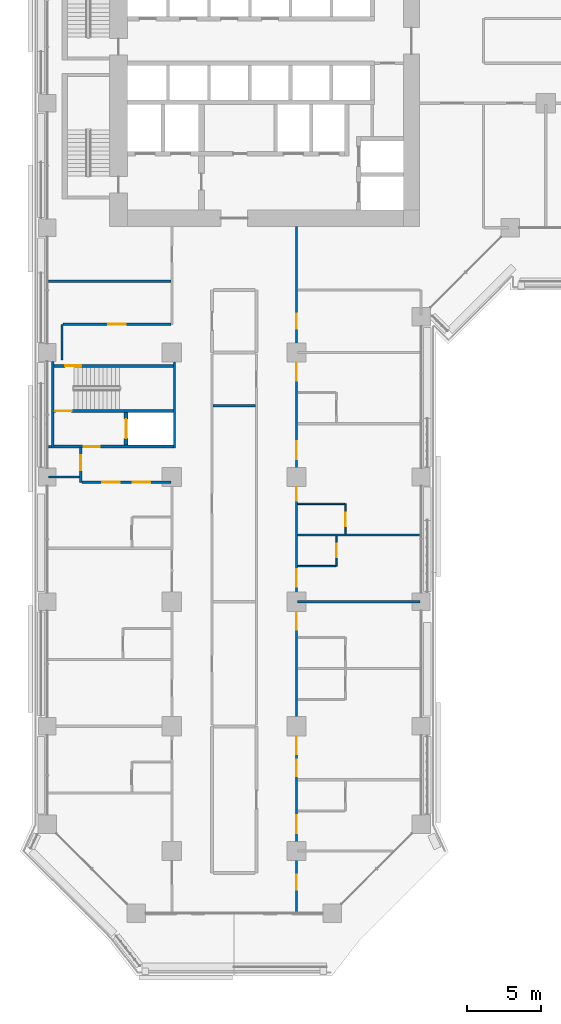
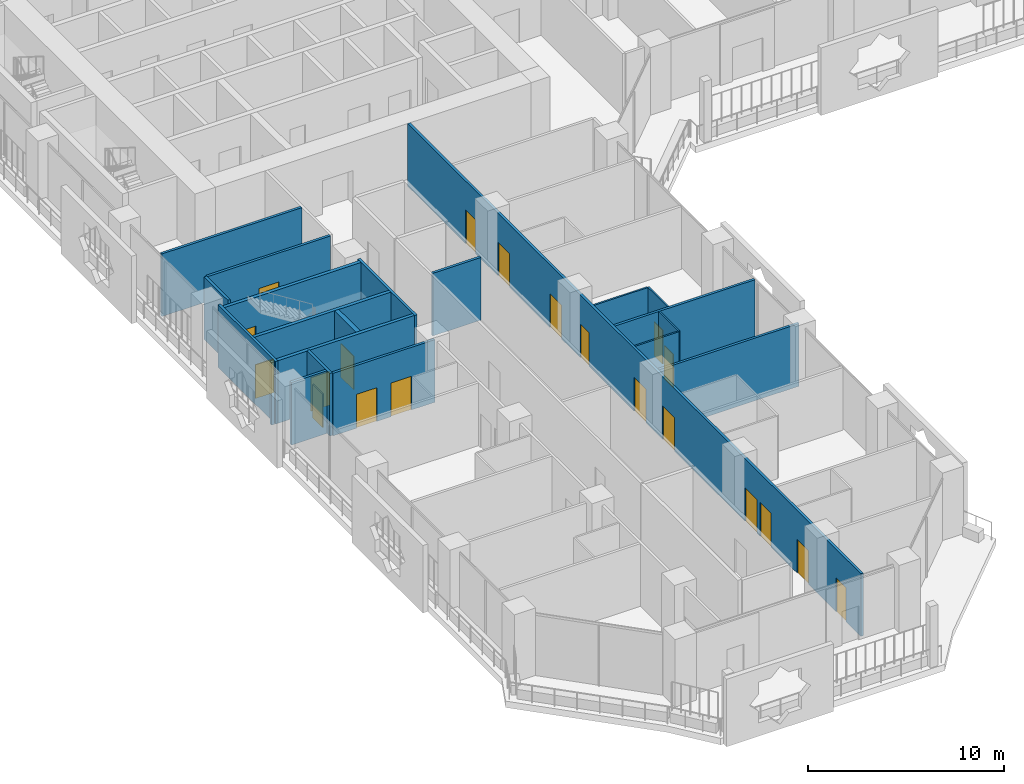
# One storey, part 14 of 28: 21 walls, 20 doors, 20 openings.
"""IFC4 building model written with IfcOpenShell, lengths in metres."""

from ifc_helpers import new_model, si_unit, direction, frame, frame_2d, origin, place, context, subcontext, project, spatial, rectangle, extrude, material, layer, layer_set, type_object, element, fill, save


model = new_model("IFC4")

# Units and contexts
model_context = context("Model", 3, precision=1e-05, world=origin(), true_north=direction((0.0, 1.0)))
body_context = subcontext(model_context, "Body", "Model", "MODEL_VIEW")
ifc_project = project(units=[si_unit("LENGTHUNIT", "METRE"), si_unit("AREAUNIT", "SQUARE_METRE"), si_unit("VOLUMEUNIT", "CUBIC_METRE"), si_unit("PLANEANGLEUNIT", "RADIAN"), si_unit("MASSUNIT", "GRAM", prefix="KILO")], contexts=[model_context])

# Site, building, storey
site_placement = place(None, origin())
site = spatial("IfcSite", under=ifc_project, at=site_placement, CompositionType="ELEMENT")
building_placement = place(site_placement, origin())
building = spatial("IfcBuilding", under=site, at=building_placement, Name="Kawkab Arch Medical Tower", CompositionType="ELEMENT")
storey_placement = place(building_placement, frame((0.0, 0.0, 81.199951171875)))
storey = spatial("IfcBuildingStorey", under=building, at=storey_placement, Name="L18", CompositionType="ELEMENT", Elevation=81.199951171875)

# Wall, opening, door
ifc_material_1 = material(Name="Concrete C60/75", Category="concrete")
ifc_layer_1 = layer(ifc_material_1, 0.25)
ifc_layer_set_1 = layer_set([ifc_layer_1], Name="Concrete C60/75")
wall_type_1 = type_object("IfcWallType", Name="Core shear wall 250 C60/75", PredefinedType="SHEAR", material=ifc_layer_set_1)
wall_1_placement = place(storey_placement, frame((5.300048828125, -39.85009765625, 0.0), z_axis=(0.0, 0.0, 1.0), x_axis=(0.0, 1.0, 0.0)))
wall_1 = element("IfcWall", 1, at=wall_1_placement, inside=storey, type_object=wall_type_1, Name="L18 core shear wall", PredefinedType="SHEAR", context=body_context, shape_type="SweptSolid", body=[
    extrude(rectangle(XDim=2.2001953125, YDim=0.25, at=frame_2d((1.10009765625, 0.0))), origin(), (0.0, 0.0, 1.0), 3.900146484375),
])
opening_1_placement = place(wall_1_placement, frame((0.449951171875, 0.0, 0.0)))
opening_1 = element("IfcOpeningElement", 2, at=opening_1_placement, cuts=wall_1, Name="Opening LD2", PredefinedType="OPENING", context=body_context, shape_type="SweptSolid", body=[
    extrude(rectangle(XDim=1.300048828125, YDim=2.10009765625, at=frame_2d((0.64990234375, 1.050048828125))), frame((0.0, 0.135009765625, 0.0), z_axis=(0.0, -1.0, 0.0), x_axis=(1.0, 0.0, 0.0)), (0.0, 0.0, 1.0), 0.27001953125),
])
ifc_material_2 = material(Name="Stainless steel lift door leaf", Category="steel")
door_type_1 = type_object("IfcDoorType", Name="Lift landing door 1300", OperationType="DOUBLE_DOOR_SLIDING", PredefinedType="DOOR", material=ifc_material_2)
door_1_placement = place(opening_1_placement, origin())
door_1 = element("IfcDoor", 3, at=door_1_placement, inside=storey, type_object=door_type_1, Name="L18 Lift landing door SV2", OperationType="DOUBLE_DOOR_SLIDING", OverallHeight=2.10009765625, OverallWidth=1.300048828125, PredefinedType="DOOR", context=body_context, shape_type="SweptSolid", body=[
    extrude(rectangle(XDim=1.300048828125, YDim=2.10009765625, at=frame_2d((0.64990234375, 1.050048828125))), frame((0.0, 0.02490234375, 0.0), z_axis=(0.0, -1.0, 0.0), x_axis=(1.0, 0.0, 0.0)), (0.0, 0.0, 1.0), 0.050048828125),
])
fill(opening_1, door_1)

# Walls
ifc_material_3 = material(Name="Gypsum board partition on steel studs", Category="steel")
ifc_layer_2 = layer(ifc_material_3, 0.10009765625)
ifc_layer_set_2 = layer_set([ifc_layer_2], Name="Gypsum board partition on steel studs")
wall_type_2 = type_object("IfcWallType", Name="Partition 100", PredefinedType="PARTITIONING", material=ifc_layer_set_2)
wall_2_placement = place(storey_placement, frame((16.875, -48.0, 0.0), z_axis=(0.0, 0.0, 1.0), x_axis=(1.0, 0.0, 0.0)))
element("IfcWall", 4, at=wall_2_placement, inside=storey, type_object=wall_type_2, Name="Partition 100 w006", PredefinedType="PARTITIONING", context=body_context, shape_type="SweptSolid", body=[
    extrude(rectangle(XDim=2.574951171875, YDim=0.10009765625, at=frame_2d((1.28759765625, 0.0))), origin(), (0.0, 0.0, 1.0), 3.900146484375),
])
wall_3_placement = place(storey_placement, frame((16.875, -43.800048828125, 0.0), z_axis=(0.0, 0.0, 1.0), x_axis=(1.0, 0.0, 0.0)))
element("IfcWall", 5, at=wall_3_placement, inside=storey, type_object=wall_type_2, Name="Partition 100 w008", PredefinedType="PARTITIONING", context=body_context, shape_type="SweptSolid", body=[
    extrude(rectangle(XDim=3.174072265625, YDim=0.10009765625, at=frame_2d((1.5869140625, 0.0))), origin(), (0.0, 0.0, 1.0), 3.900146484375),
])

# Wall, opening, door
wall_4_placement = place(storey_placement, frame((19.5, -48.0, 0.0), z_axis=(0.0, 0.0, 1.0), x_axis=(0.0, 1.0, 0.0)))
wall_4 = element("IfcWall", 6, at=wall_4_placement, inside=storey, type_object=wall_type_2, Name="Partition 100 w023", PredefinedType="PARTITIONING", context=body_context, shape_type="SweptSolid", body=[
    extrude(rectangle(XDim=2.02490234375, YDim=0.10009765625, at=frame_2d((1.012451171875, 0.0))), origin(), (0.0, 0.0, 1.0), 3.900146484375),
])
opening_2_placement = place(wall_4_placement, frame((0.60009765625, 0.0, 0.0)))
opening_2 = element("IfcOpeningElement", 7, at=opening_2_placement, cuts=wall_4, Name="Opening W18-020", PredefinedType="OPENING", context=body_context, shape_type="SweptSolid", body=[
    extrude(rectangle(XDim=0.89990234375, YDim=2.10009765625, at=frame_2d((0.449951171875, 1.050048828125))), frame((0.0, 0.06005859375, 0.0), z_axis=(0.0, -1.0, 0.0), x_axis=(1.0, 0.0, 0.0)), (0.0, 0.0, 1.0), 0.1201171875),
])
ifc_material_4 = material(Name="Timber door leaf", Category="wood")
door_type_2 = type_object("IfcDoorType", Name="Single door 900x2100", OperationType="NOTDEFINED", PredefinedType="DOOR", material=ifc_material_4)
door_2_placement = place(opening_2_placement, origin())
door_2 = element("IfcDoor", 8, at=door_2_placement, inside=storey, type_object=door_type_2, Name="Door W18-020", OperationType="SINGLE_SWING_RIGHT", OverallHeight=2.10009765625, OverallWidth=0.89990234375, PredefinedType="DOOR", context=body_context, shape_type="SweptSolid", body=[
    extrude(rectangle(XDim=0.89990234375, YDim=2.10009765625, at=frame_2d((0.449951171875, 1.050048828125))), frame((0.0, 0.02490234375, 0.0), z_axis=(0.0, -1.0, 0.0), x_axis=(1.0, 0.0, 0.0)), (0.0, 0.0, 1.0), 0.050048828125),
])
fill(opening_2, door_2)

wall_5_placement = place(storey_placement, frame((20.10009765625, -45.824951171875, 0.0), z_axis=(0.0, 0.0, 1.0), x_axis=(0.0, 1.0, 0.0)))
wall_5 = element("IfcWall", 9, at=wall_5_placement, inside=storey, type_object=wall_type_2, Name="Partition 100 w027", PredefinedType="PARTITIONING", context=body_context, shape_type="SweptSolid", body=[
    extrude(rectangle(XDim=2.02294921875, YDim=0.10009765625, at=frame_2d((1.011474609375, 0.0))), origin(), (0.0, 0.0, 1.0), 3.900146484375),
])
opening_3_placement = place(wall_5_placement, frame((0.52392578125, 0.0, 0.0)))
opening_3 = element("IfcOpeningElement", 10, at=opening_3_placement, cuts=wall_5, Name="Opening W18-019", PredefinedType="OPENING", context=body_context, shape_type="SweptSolid", body=[
    extrude(rectangle(XDim=0.89990234375, YDim=2.10009765625, at=frame_2d((0.449951171875, 1.050048828125))), frame((0.0, 0.06005859375, 0.0), z_axis=(0.0, -1.0, 0.0), x_axis=(1.0, 0.0, 0.0)), (0.0, 0.0, 1.0), 0.1201171875),
])
door_3_placement = place(opening_3_placement, origin())
door_3 = element("IfcDoor", 11, at=door_3_placement, inside=storey, type_object=door_type_2, Name="Door W18-019", OperationType="SINGLE_SWING_RIGHT", OverallHeight=2.10009765625, OverallWidth=0.89990234375, PredefinedType="DOOR", context=body_context, shape_type="SweptSolid", body=[
    extrude(rectangle(XDim=0.89990234375, YDim=2.10009765625, at=frame_2d((0.449951171875, 1.050048828125))), frame((0.0, 0.02490234375, 0.0), z_axis=(0.0, -1.0, 0.0), x_axis=(1.0, 0.0, 0.0)), (0.0, 0.0, 1.0), 0.050048828125),
])
fill(opening_3, door_3)

# Walls
ifc_material_5 = material(Name="Gypsum board partition on steel studs, mineral wool", Category="steel")
ifc_layer_3 = layer(ifc_material_5, 0.14990234375)
ifc_layer_set_3 = layer_set([ifc_layer_3], Name="Gypsum board partition on steel studs, mineral wool")
wall_type_3 = type_object("IfcWallType", Name="Partition 150", PredefinedType="PARTITIONING", material=ifc_layer_set_3)
for number, where, z_axis, x_axis, name in (
    (12, (16.875, -50.39990234375, 0.0), (0.0, 0.0, 1.0), (1.0, 0.0, 0.0), "Partition 150 w046"),
    (13, (16.875, -45.89990234375, 0.0), (0.0, 0.0, 1.0), (1.0, 0.0, 0.0), "Partition 150 w048"),
):
    element("IfcWall", number, at=place(storey_placement, frame(where, z_axis=z_axis, x_axis=x_axis)), inside=storey, type_object=wall_type_3, Name=name, PredefinedType="PARTITIONING", context=body_context, shape_type="SweptSolid", body=[
        extrude(rectangle(XDim=8.2451171875, YDim=0.14990234375, at=frame_2d((4.12255859375, 0.0))), origin(), (0.0, 0.0, 1.0), 3.900146484375),
    ])

# Wall, openings, doors
wall_6_placement = place(storey_placement, frame((2.324951171875, -42.35009765625, 0.0), z_axis=(0.0, 0.0, 1.0), x_axis=(1.0, 0.0, 0.0)))
wall_6 = element("IfcWall", 14, at=wall_6_placement, inside=storey, type_object=wall_type_3, Name="Partition 150 w049", PredefinedType="PARTITIONING", context=body_context, shape_type="SweptSolid", body=[
    extrude(rectangle(XDim=6.0, YDim=0.14990234375, at=frame_2d((3.0, 0.0))), origin(), (0.0, 0.0, 1.0), 3.900146484375),
])
opening_4_placement = place(wall_6_placement, frame((3.425048828125, 0.0, 0.0)))
opening_4 = element("IfcOpeningElement", 15, at=opening_4_placement, cuts=wall_6, Name="Opening W18-060", PredefinedType="OPENING", context=body_context, shape_type="SweptSolid", body=[
    extrude(rectangle(XDim=1.199951171875, YDim=2.10009765625, at=frame_2d((0.60009765625, 1.050048828125))), frame((0.0, 0.0849609375, 0.0), z_axis=(0.0, -1.0, 0.0), x_axis=(1.0, 0.0, 0.0)), (0.0, 0.0, 1.0), 0.169921875),
])
opening_5_placement = place(wall_6_placement, frame((1.375, 0.0, 0.0)))
opening_5 = element("IfcOpeningElement", 16, at=opening_5_placement, cuts=wall_6, Name="Opening W18-061", PredefinedType="OPENING", context=body_context, shape_type="SweptSolid", body=[
    extrude(rectangle(XDim=1.199951171875, YDim=2.10009765625, at=frame_2d((0.60009765625, 1.050048828125))), frame((0.0, 0.0849609375, 0.0), z_axis=(0.0, -1.0, 0.0), x_axis=(1.0, 0.0, 0.0)), (0.0, 0.0, 1.0), 0.169921875),
])
ifc_material_6 = material(Name="Hollow metal door leaf")
door_type_3 = type_object("IfcDoorType", Name="Single door 1200x2100 FD30S", OperationType="NOTDEFINED", PredefinedType="DOOR", material=ifc_material_6)
door_4_placement = place(opening_4_placement, origin())
door_4 = element("IfcDoor", 17, at=door_4_placement, inside=storey, type_object=door_type_3, Name="Door W18-060", OperationType="SINGLE_SWING_LEFT", OverallHeight=2.10009765625, OverallWidth=1.199951171875, PredefinedType="DOOR", context=body_context, shape_type="SweptSolid", body=[
    extrude(rectangle(XDim=1.199951171875, YDim=2.10009765625, at=frame_2d((0.60009765625, 1.050048828125))), frame((0.0, 0.02490234375, 0.0), z_axis=(0.0, -1.0, 0.0), x_axis=(1.0, 0.0, 0.0)), (0.0, 0.0, 1.0), 0.050048828125),
])
fill(opening_4, door_4)
door_5_placement = place(opening_5_placement, origin())
door_5 = element("IfcDoor", 18, at=door_5_placement, inside=storey, type_object=door_type_3, Name="Door W18-061", OperationType="SINGLE_SWING_RIGHT", OverallHeight=2.10009765625, OverallWidth=1.199951171875, PredefinedType="DOOR", context=body_context, shape_type="SweptSolid", body=[
    extrude(rectangle(XDim=1.199951171875, YDim=2.10009765625, at=frame_2d((0.60009765625, 1.050048828125))), frame((0.0, 0.02490234375, 0.0), z_axis=(0.0, -1.0, 0.0), x_axis=(1.0, 0.0, 0.0)), (0.0, 0.0, 1.0), 0.050048828125),
])
fill(opening_5, door_5)

# Walls
wall_7_placement = place(storey_placement, frame((0.080078125, -42.0, 0.0), z_axis=(0.0, 0.0, 1.0), x_axis=(1.0, 0.0, 0.0)))
element("IfcWall", 19, at=wall_7_placement, inside=storey, type_object=wall_type_3, Name="Partition 150 w050", PredefinedType="PARTITIONING", context=body_context, shape_type="SweptSolid", body=[
    extrude(rectangle(XDim=2.094970703125, YDim=0.14990234375, at=frame_2d((1.04736328125, 0.0))), origin(), (0.0, 0.0, 1.0), 3.900146484375),
])
wall_8_placement = place(storey_placement, frame((0.080078125, -39.949951171875, 0.0), z_axis=(0.0, 0.0, 1.0), x_axis=(1.0, 0.0, 0.0)))
element("IfcWall", 20, at=wall_8_placement, inside=storey, type_object=wall_type_3, Name="Partition 150 w051", PredefinedType="PARTITIONING", context=body_context, shape_type="SweptSolid", body=[
    extrude(rectangle(XDim=0.18994140625, YDim=0.14990234375, at=frame_2d((0.094970703125, 0.0))), origin(), (0.0, 0.0, 1.0), 3.900146484375),
])
wall_9_placement = place(storey_placement, frame((11.175048828125, -37.199951171875, 0.0), z_axis=(0.0, 0.0, 1.0), x_axis=(1.0, 0.0, 0.0)))
element("IfcWall", 21, at=wall_9_placement, inside=storey, type_object=wall_type_3, Name="Partition 150 w053", PredefinedType="PARTITIONING", context=body_context, shape_type="SweptSolid", body=[
    extrude(rectangle(XDim=2.849853515625, YDim=0.14990234375, at=frame_2d((1.4248046875, 0.0))), origin(), (0.0, 0.0, 1.0), 3.900146484375),
])

# Wall, opening, door
wall_10_placement = place(storey_placement, frame((1.076904296875, -31.70703125, 0.0), z_axis=(0.0, 0.0, 1.0), x_axis=(1.0, 0.0, 0.0)))
wall_10 = element("IfcWall", 22, at=wall_10_placement, inside=storey, type_object=wall_type_3, Name="Partition 150 w055", PredefinedType="PARTITIONING", context=body_context, shape_type="SweptSolid", body=[
    extrude(rectangle(XDim=7.248046875, YDim=0.14990234375, at=frame_2d((3.6240234375, 0.0))), origin(), (0.0, 0.0, 1.0), 3.900146484375),
])
opening_6_placement = place(wall_10_placement, frame((3.02392578125, 0.0, 0.0)))
opening_6 = element("IfcOpeningElement", 23, at=opening_6_placement, cuts=wall_10, Name="Opening W18-059", PredefinedType="OPENING", context=body_context, shape_type="SweptSolid", body=[
    extrude(rectangle(XDim=1.199951171875, YDim=2.10009765625, at=frame_2d((0.60009765625, 1.050048828125))), frame((0.0, 0.0849609375, 0.0), z_axis=(0.0, -1.0, 0.0), x_axis=(1.0, 0.0, 0.0)), (0.0, 0.0, 1.0), 0.169921875),
])
door_6_placement = place(opening_6_placement, origin())
door_6 = element("IfcDoor", 24, at=door_6_placement, inside=storey, type_object=door_type_3, Name="Door W18-059", OperationType="SINGLE_SWING_LEFT", OverallHeight=2.10009765625, OverallWidth=1.199951171875, PredefinedType="DOOR", context=body_context, shape_type="SweptSolid", body=[
    extrude(rectangle(XDim=1.199951171875, YDim=2.10009765625, at=frame_2d((0.60009765625, 1.050048828125))), frame((0.0, 0.02490234375, 0.0), z_axis=(0.0, -1.0, 0.0), x_axis=(1.0, 0.0, 0.0)), (0.0, 0.0, 1.0), 0.050048828125),
])
fill(opening_6, door_6)

# Walls
wall_11_placement = place(storey_placement, frame((0.080078125, -28.800048828125, 0.0), z_axis=(0.0, 0.0, 1.0), x_axis=(1.0, 0.0, 0.0)))
element("IfcWall", 25, at=wall_11_placement, inside=storey, type_object=wall_type_3, Name="Partition 150 w057", PredefinedType="PARTITIONING", context=body_context, shape_type="SweptSolid", body=[
    extrude(rectangle(XDim=8.244873046875, YDim=0.14990234375, at=frame_2d((4.12255859375, 0.0))), origin(), (0.0, 0.0, 1.0), 3.900146484375),
])
wall_12_placement = place(storey_placement, frame((1.0, -34.123046875, 0.0), z_axis=(0.0, 0.0, 1.0), x_axis=(0.0, 1.0, 0.0)))
element("IfcWall", 26, at=wall_12_placement, inside=storey, type_object=wall_type_3, Name="Partition 150 w069", PredefinedType="PARTITIONING", context=body_context, shape_type="SweptSolid", body=[
    extrude(rectangle(XDim=2.4150390625, YDim=0.14990234375, at=frame_2d((1.20751953125, 0.0))), origin(), (0.0, 0.0, 1.0), 3.900146484375),
])

# Wall, opening, door
wall_13_placement = place(storey_placement, frame((2.25, -42.35009765625, 0.0), z_axis=(0.0, 0.0, 1.0), x_axis=(0.0, 1.0, 0.0)))
wall_13 = element("IfcWall", 27, at=wall_13_placement, inside=storey, type_object=wall_type_3, Name="Partition 150 w070", PredefinedType="PARTITIONING", context=body_context, shape_type="SweptSolid", body=[
    extrude(rectangle(XDim=2.35009765625, YDim=0.14990234375, at=frame_2d((1.175048828125, 0.0))), origin(), (0.0, 0.0, 1.0), 3.900146484375),
])
opening_7_placement = place(wall_13_placement, frame((0.824951171875, 0.0, 0.0)))
opening_7 = element("IfcOpeningElement", 28, at=opening_7_placement, cuts=wall_13, Name="Opening W18-037", PredefinedType="OPENING", context=body_context, shape_type="SweptSolid", body=[
    extrude(rectangle(XDim=1.0, YDim=2.10009765625, at=frame_2d((0.5, 1.050048828125))), frame((0.0, 0.0849609375, 0.0), z_axis=(0.0, -1.0, 0.0), x_axis=(1.0, 0.0, 0.0)), (0.0, 0.0, 1.0), 0.169921875),
])
ifc_material_7 = material(Name="Hollow metal door leaf")
door_type_4 = type_object("IfcDoorType", Name="Single door 1000x2100 FD30S", OperationType="NOTDEFINED", PredefinedType="DOOR", material=ifc_material_7)
door_7_placement = place(opening_7_placement, origin())
door_7 = element("IfcDoor", 29, at=door_7_placement, inside=storey, type_object=door_type_4, Name="Door W18-037", OperationType="SINGLE_SWING_RIGHT", OverallHeight=2.10009765625, OverallWidth=1.0, PredefinedType="DOOR", context=body_context, shape_type="SweptSolid", body=[
    extrude(rectangle(XDim=1.0, YDim=2.10009765625, at=frame_2d((0.5, 1.050048828125))), frame((0.0, 0.02490234375, 0.0), z_axis=(0.0, -1.0, 0.0), x_axis=(1.0, 0.0, 0.0)), (0.0, 0.0, 1.0), 0.050048828125),
])
fill(opening_7, door_7)

# Wall, openings, doors
wall_14_placement = place(storey_placement, frame((16.800048828125, -71.320068359375, 0.0), z_axis=(0.0, 0.0, 1.0), x_axis=(0.0, 1.0, 0.0)))
wall_14 = element("IfcWall", 30, at=wall_14_placement, inside=storey, type_object=wall_type_3, Name="Partition 150 w076", PredefinedType="PARTITIONING", context=body_context, shape_type="SweptSolid", body=[
    extrude(rectangle(XDim=46.219970703125, YDim=0.14990234375, at=frame_2d((23.10986328125, 0.0))), origin(), (0.0, 0.0, 1.0), 3.900146484375),
])
opening_8_placement = place(wall_14_placement, frame((39.320068359375, 0.0, 0.0)))
opening_8 = element("IfcOpeningElement", 31, at=opening_8_placement, cuts=wall_14, Name="Opening W18-040", PredefinedType="OPENING", context=body_context, shape_type="SweptSolid", body=[
    extrude(rectangle(XDim=1.0, YDim=2.10009765625, at=frame_2d((0.5, 1.050048828125))), frame((0.0, 0.0849609375, 0.0), z_axis=(0.0, -1.0, 0.0), x_axis=(1.0, 0.0, 0.0)), (0.0, 0.0, 1.0), 0.169921875),
])
opening_9_placement = place(wall_14_placement, frame((35.820068359375, 0.0, 0.0)))
opening_9 = element("IfcOpeningElement", 32, at=opening_9_placement, cuts=wall_14, Name="Opening W18-065", PredefinedType="OPENING", context=body_context, shape_type="SweptSolid", body=[
    extrude(rectangle(XDim=1.199951171875, YDim=2.10009765625, at=frame_2d((0.60009765625, 1.050048828125))), frame((0.0, 0.0849609375, 0.0), z_axis=(0.0, -1.0, 0.0), x_axis=(1.0, 0.0, 0.0)), (0.0, 0.0, 1.0), 0.169921875),
])
opening_10_placement = place(wall_14_placement, frame((30.52001953125, 0.0, 0.0)))
opening_10 = element("IfcOpeningElement", 33, at=opening_10_placement, cuts=wall_14, Name="Opening W18-066", PredefinedType="OPENING", context=body_context, shape_type="SweptSolid", body=[
    extrude(rectangle(XDim=1.199951171875, YDim=2.10009765625, at=frame_2d((0.60009765625, 1.050048828125))), frame((0.0, 0.0849609375, 0.0), z_axis=(0.0, -1.0, 0.0), x_axis=(1.0, 0.0, 0.0)), (0.0, 0.0, 1.0), 0.169921875),
])
opening_11_placement = place(wall_14_placement, frame((27.719970703125, 0.0, 0.0)))
opening_11 = element("IfcOpeningElement", 34, at=opening_11_placement, cuts=wall_14, Name="Opening W18-025", PredefinedType="OPENING", context=body_context, shape_type="SweptSolid", body=[
    extrude(rectangle(XDim=0.89990234375, YDim=2.10009765625, at=frame_2d((0.449951171875, 1.050048828125))), frame((0.0, 0.0849609375, 0.0), z_axis=(0.0, -1.0, 0.0), x_axis=(1.0, 0.0, 0.0)), (0.0, 0.0, 1.0), 0.169921875),
])
opening_12_placement = place(wall_14_placement, frame((21.919921875, 0.0, 0.0)))
opening_12 = element("IfcOpeningElement", 35, at=opening_12_placement, cuts=wall_14, Name="Opening W18-067", PredefinedType="OPENING", context=body_context, shape_type="SweptSolid", body=[
    extrude(rectangle(XDim=1.199951171875, YDim=2.10009765625, at=frame_2d((0.60009765625, 1.050048828125))), frame((0.0, 0.0849609375, 0.0), z_axis=(0.0, -1.0, 0.0), x_axis=(1.0, 0.0, 0.0)), (0.0, 0.0, 1.0), 0.169921875),
])
opening_13_placement = place(wall_14_placement, frame((19.02001953125, 0.0, 0.0)))
opening_13 = element("IfcOpeningElement", 36, at=opening_13_placement, cuts=wall_14, Name="Opening W18-068", PredefinedType="OPENING", context=body_context, shape_type="SweptSolid", body=[
    extrude(rectangle(XDim=1.199951171875, YDim=2.10009765625, at=frame_2d((0.60009765625, 1.050048828125))), frame((0.0, 0.0849609375, 0.0), z_axis=(0.0, -1.0, 0.0), x_axis=(1.0, 0.0, 0.0)), (0.0, 0.0, 1.0), 0.169921875),
])
opening_14_placement = place(wall_14_placement, frame((10.6201171875, 0.0, 0.0)))
opening_14 = element("IfcOpeningElement", 37, at=opening_14_placement, cuts=wall_14, Name="Opening W18-069", PredefinedType="OPENING", context=body_context, shape_type="SweptSolid", body=[
    extrude(rectangle(XDim=1.199951171875, YDim=2.10009765625, at=frame_2d((0.60009765625, 1.050048828125))), frame((0.0, 0.0849609375, 0.0), z_axis=(0.0, -1.0, 0.0), x_axis=(1.0, 0.0, 0.0)), (0.0, 0.0, 1.0), 0.169921875),
])
opening_15_placement = place(wall_14_placement, frame((9.169921875, 0.0, 0.0)))
opening_15 = element("IfcOpeningElement", 38, at=opening_15_placement, cuts=wall_14, Name="Opening W18-044", PredefinedType="OPENING", context=body_context, shape_type="SweptSolid", body=[
    extrude(rectangle(XDim=1.10009765625, YDim=2.10009765625, at=frame_2d((0.550048828125, 1.050048828125))), frame((0.0, 0.0849609375, 0.0), z_axis=(0.0, -1.0, 0.0), x_axis=(1.0, 0.0, 0.0)), (0.0, 0.0, 1.0), 0.169921875),
])
opening_16_placement = place(wall_14_placement, frame((5.320068359375, 0.0, 0.0)))
opening_16 = element("IfcOpeningElement", 39, at=opening_16_placement, cuts=wall_14, Name="Opening W18-070", PredefinedType="OPENING", context=body_context, shape_type="SweptSolid", body=[
    extrude(rectangle(XDim=1.199951171875, YDim=2.10009765625, at=frame_2d((0.60009765625, 1.050048828125))), frame((0.0, 0.0849609375, 0.0), z_axis=(0.0, -1.0, 0.0), x_axis=(1.0, 0.0, 0.0)), (0.0, 0.0, 1.0), 0.169921875),
])
opening_17_placement = place(wall_14_placement, frame((1.52001953125, 0.0, 0.0)))
opening_17 = element("IfcOpeningElement", 40, at=opening_17_placement, cuts=wall_14, Name="Opening W18-041", PredefinedType="OPENING", context=body_context, shape_type="SweptSolid", body=[
    extrude(rectangle(XDim=1.0, YDim=2.10009765625, at=frame_2d((0.5, 1.050048828125))), frame((0.0, 0.0849609375, 0.0), z_axis=(0.0, -1.0, 0.0), x_axis=(1.0, 0.0, 0.0)), (0.0, 0.0, 1.0), 0.169921875),
])
door_8_placement = place(opening_8_placement, origin())
door_8 = element("IfcDoor", 41, at=door_8_placement, inside=storey, type_object=door_type_4, Name="Door W18-040", OperationType="SINGLE_SWING_LEFT", OverallHeight=2.10009765625, OverallWidth=1.0, PredefinedType="DOOR", context=body_context, shape_type="SweptSolid", body=[
    extrude(rectangle(XDim=1.0, YDim=2.10009765625, at=frame_2d((0.5, 1.050048828125))), frame((0.0, 0.02490234375, 0.0), z_axis=(0.0, -1.0, 0.0), x_axis=(1.0, 0.0, 0.0)), (0.0, 0.0, 1.0), 0.050048828125),
])
fill(opening_8, door_8)
door_9_placement = place(opening_17_placement, origin())
door_9 = element("IfcDoor", 42, at=door_9_placement, inside=storey, type_object=door_type_4, Name="Door W18-041", OperationType="SINGLE_SWING_RIGHT", OverallHeight=2.10009765625, OverallWidth=1.0, PredefinedType="DOOR", context=body_context, shape_type="SweptSolid", body=[
    extrude(rectangle(XDim=1.0, YDim=2.10009765625, at=frame_2d((0.5, 1.050048828125))), frame((0.0, 0.02490234375, 0.0), z_axis=(0.0, -1.0, 0.0), x_axis=(1.0, 0.0, 0.0)), (0.0, 0.0, 1.0), 0.050048828125),
])
fill(opening_17, door_9)
ifc_material_8 = material(Name="Hollow metal door leaf")
door_type_5 = type_object("IfcDoorType", Name="Single door 1100x2100 FD30S", OperationType="NOTDEFINED", PredefinedType="DOOR", material=ifc_material_8)
door_10_placement = place(opening_15_placement, origin())
door_10 = element("IfcDoor", 43, at=door_10_placement, inside=storey, type_object=door_type_5, Name="Door W18-044", OperationType="SINGLE_SWING_RIGHT", OverallHeight=2.10009765625, OverallWidth=1.10009765625, PredefinedType="DOOR", context=body_context, shape_type="SweptSolid", body=[
    extrude(rectangle(XDim=1.10009765625, YDim=2.10009765625, at=frame_2d((0.550048828125, 1.050048828125))), frame((0.0, 0.02490234375, 0.0), z_axis=(0.0, -1.0, 0.0), x_axis=(1.0, 0.0, 0.0)), (0.0, 0.0, 1.0), 0.050048828125),
])
fill(opening_15, door_10)
door_11_placement = place(opening_9_placement, origin())
door_11 = element("IfcDoor", 44, at=door_11_placement, inside=storey, type_object=door_type_3, Name="Door W18-065", OperationType="SINGLE_SWING_LEFT", OverallHeight=2.10009765625, OverallWidth=1.199951171875, PredefinedType="DOOR", context=body_context, shape_type="SweptSolid", body=[
    extrude(rectangle(XDim=1.199951171875, YDim=2.10009765625, at=frame_2d((0.60009765625, 1.050048828125))), frame((0.0, 0.02490234375, 0.0), z_axis=(0.0, -1.0, 0.0), x_axis=(1.0, 0.0, 0.0)), (0.0, 0.0, 1.0), 0.050048828125),
])
fill(opening_9, door_11)
door_12_placement = place(opening_10_placement, origin())
door_12 = element("IfcDoor", 45, at=door_12_placement, inside=storey, type_object=door_type_3, Name="Door W18-066", OperationType="SINGLE_SWING_LEFT", OverallHeight=2.10009765625, OverallWidth=1.199951171875, PredefinedType="DOOR", context=body_context, shape_type="SweptSolid", body=[
    extrude(rectangle(XDim=1.199951171875, YDim=2.10009765625, at=frame_2d((0.60009765625, 1.050048828125))), frame((0.0, 0.02490234375, 0.0), z_axis=(0.0, -1.0, 0.0), x_axis=(1.0, 0.0, 0.0)), (0.0, 0.0, 1.0), 0.050048828125),
])
fill(opening_10, door_12)
door_13_placement = place(opening_12_placement, origin())
door_13 = element("IfcDoor", 46, at=door_13_placement, inside=storey, type_object=door_type_3, Name="Door W18-067", OperationType="SINGLE_SWING_RIGHT", OverallHeight=2.10009765625, OverallWidth=1.199951171875, PredefinedType="DOOR", context=body_context, shape_type="SweptSolid", body=[
    extrude(rectangle(XDim=1.199951171875, YDim=2.10009765625, at=frame_2d((0.60009765625, 1.050048828125))), frame((0.0, 0.02490234375, 0.0), z_axis=(0.0, -1.0, 0.0), x_axis=(1.0, 0.0, 0.0)), (0.0, 0.0, 1.0), 0.050048828125),
])
fill(opening_12, door_13)
door_14_placement = place(opening_13_placement, origin())
door_14 = element("IfcDoor", 47, at=door_14_placement, inside=storey, type_object=door_type_3, Name="Door W18-068", OperationType="SINGLE_SWING_RIGHT", OverallHeight=2.10009765625, OverallWidth=1.199951171875, PredefinedType="DOOR", context=body_context, shape_type="SweptSolid", body=[
    extrude(rectangle(XDim=1.199951171875, YDim=2.10009765625, at=frame_2d((0.60009765625, 1.050048828125))), frame((0.0, 0.02490234375, 0.0), z_axis=(0.0, -1.0, 0.0), x_axis=(1.0, 0.0, 0.0)), (0.0, 0.0, 1.0), 0.050048828125),
])
fill(opening_13, door_14)
door_15_placement = place(opening_14_placement, origin())
door_15 = element("IfcDoor", 48, at=door_15_placement, inside=storey, type_object=door_type_3, Name="Door W18-069", OperationType="SINGLE_SWING_RIGHT", OverallHeight=2.10009765625, OverallWidth=1.199951171875, PredefinedType="DOOR", context=body_context, shape_type="SweptSolid", body=[
    extrude(rectangle(XDim=1.199951171875, YDim=2.10009765625, at=frame_2d((0.60009765625, 1.050048828125))), frame((0.0, 0.02490234375, 0.0), z_axis=(0.0, -1.0, 0.0), x_axis=(1.0, 0.0, 0.0)), (0.0, 0.0, 1.0), 0.050048828125),
])
fill(opening_14, door_15)
door_16_placement = place(opening_16_placement, origin())
door_16 = element("IfcDoor", 49, at=door_16_placement, inside=storey, type_object=door_type_3, Name="Door W18-070", OperationType="SINGLE_SWING_RIGHT", OverallHeight=2.10009765625, OverallWidth=1.199951171875, PredefinedType="DOOR", context=body_context, shape_type="SweptSolid", body=[
    extrude(rectangle(XDim=1.199951171875, YDim=2.10009765625, at=frame_2d((0.60009765625, 1.050048828125))), frame((0.0, 0.02490234375, 0.0), z_axis=(0.0, -1.0, 0.0), x_axis=(1.0, 0.0, 0.0)), (0.0, 0.0, 1.0), 0.050048828125),
])
fill(opening_16, door_16)
ifc_material_9 = material(Name="Hollow metal door leaf")
door_type_6 = type_object("IfcDoorType", Name="Single door 900x2100 FD30S", OperationType="NOTDEFINED", PredefinedType="DOOR", material=ifc_material_9)
door_17_placement = place(opening_11_placement, origin())
door_17 = element("IfcDoor", 50, at=door_17_placement, inside=storey, type_object=door_type_6, Name="Door W18-025", OperationType="SINGLE_SWING_LEFT", OverallHeight=2.10009765625, OverallWidth=0.89990234375, PredefinedType="DOOR", context=body_context, shape_type="SweptSolid", body=[
    extrude(rectangle(XDim=0.89990234375, YDim=2.10009765625, at=frame_2d((0.449951171875, 1.050048828125))), frame((0.0, 0.02490234375, 0.0), z_axis=(0.0, -1.0, 0.0), x_axis=(1.0, 0.0, 0.0)), (0.0, 0.0, 1.0), 0.050048828125),
])
fill(opening_11, door_17)

# Walls
ifc_material_10 = material(Name="Concrete C50/60", Category="concrete")
ifc_layer_4 = layer(ifc_material_10, 0.14990234375)
ifc_layer_set_4 = layer_set([ifc_layer_4], Name="Concrete C50/60")
wall_type_4 = type_object("IfcWallType", Name="Stair enclosure wall 150 C50/60", PredefinedType="SHEAR", material=ifc_layer_set_4)
wall_15_placement = place(storey_placement, frame((0.375, -40.050048828125, 0.0), z_axis=(0.0, 0.0, 1.0), x_axis=(0.0, 1.0, 0.0)))
element("IfcWall", 51, at=wall_15_placement, inside=storey, type_object=wall_type_4, Name="L18 stair enclosure wall", PredefinedType="SHEAR", context=body_context, shape_type="SweptSolid", body=[
    extrude(rectangle(XDim=5.85009765625, YDim=0.14990234375, at=frame_2d((2.925048828125, 0.0))), origin(), (0.0, 0.0, 1.0), 3.900146484375),
])
wall_16_placement = place(storey_placement, frame((8.574951171875, -40.050048828125, 0.0), z_axis=(0.0, 0.0, 1.0), x_axis=(0.0, 1.0, 0.0)))
element("IfcWall", 52, at=wall_16_placement, inside=storey, type_object=wall_type_4, Name="L18 stair enclosure wall", PredefinedType="SHEAR", context=body_context, shape_type="SweptSolid", body=[
    extrude(rectangle(XDim=5.800048828125, YDim=0.14990234375, at=frame_2d((2.89990234375, 0.0))), origin(), (0.0, 0.0, 1.0), 3.900146484375),
])

# Wall, opening, door
ifc_material_11 = material(Name="Concrete C50/60", Category="concrete")
ifc_layer_5 = layer(ifc_material_11, 0.199951171875)
ifc_layer_set_5 = layer_set([ifc_layer_5], Name="Concrete C50/60")
wall_type_5 = type_object("IfcWallType", Name="Stair enclosure wall 200 C50/60", PredefinedType="SHEAR", material=ifc_layer_set_5)
wall_17_placement = place(storey_placement, frame((0.449951171875, -34.5, 0.0), z_axis=(0.0, 0.0, 1.0), x_axis=(1.0, 0.0, 0.0)))
wall_17 = element("IfcWall", 53, at=wall_17_placement, inside=storey, type_object=wall_type_5, Name="L18 stair enclosure wall", PredefinedType="SHEAR", context=body_context, shape_type="SweptSolid", body=[
    extrude(rectangle(XDim=8.050048828125, YDim=0.199951171875, at=frame_2d((4.02490234375, 0.0))), origin(), (0.0, 0.0, 1.0), 3.900146484375),
])
opening_18_placement = place(wall_17_placement, frame((0.75, 0.0, 0.0)))
opening_18 = element("IfcOpeningElement", 54, at=opening_18_placement, cuts=wall_17, Name="Opening SD", PredefinedType="OPENING", context=body_context, shape_type="SweptSolid", body=[
    extrude(rectangle(XDim=1.10009765625, YDim=2.10009765625, at=frame_2d((0.550048828125, 1.050048828125))), frame((0.0, 0.10986328125, 0.0), z_axis=(0.0, -1.0, 0.0), x_axis=(1.0, 0.0, 0.0)), (0.0, 0.0, 1.0), 0.219970703125),
])
ifc_material_12 = material(Name="Hollow metal fire door leaf")
door_type_7 = type_object("IfcDoorType", Name="Exit stair door 1100", OperationType="SINGLE_SWING_LEFT", PredefinedType="DOOR", material=ifc_material_12)
door_18_placement = place(opening_18_placement, origin())
door_18 = element("IfcDoor", 55, at=door_18_placement, inside=storey, type_object=door_type_7, Name="L18 Exit stair ST6 door", OperationType="SINGLE_SWING_LEFT", OverallHeight=2.10009765625, OverallWidth=1.10009765625, PredefinedType="DOOR", context=body_context, shape_type="SweptSolid", body=[
    extrude(rectangle(XDim=1.10009765625, YDim=2.10009765625, at=frame_2d((0.550048828125, 1.050048828125))), frame((0.0, 0.02490234375, 0.0), z_axis=(0.0, -1.0, 0.0), x_axis=(1.0, 0.0, 0.0)), (0.0, 0.0, 1.0), 0.050048828125),
])
fill(opening_18, door_18)

wall_18_placement = place(storey_placement, frame((0.449951171875, -37.550048828125, 0.0), z_axis=(0.0, 0.0, 1.0), x_axis=(1.0, 0.0, 0.0)))
wall_18 = element("IfcWall", 56, at=wall_18_placement, inside=storey, type_object=wall_type_5, Name="L18 stair enclosure wall", PredefinedType="SHEAR", context=body_context, shape_type="SweptSolid", body=[
    extrude(rectangle(XDim=8.050048828125, YDim=0.199951171875, at=frame_2d((4.02490234375, 0.0))), origin(), (0.0, 0.0, 1.0), 3.900146484375),
])
opening_19_placement = place(wall_18_placement, frame((0.10009765625, 0.0, 0.0)))
opening_19 = element("IfcOpeningElement", 57, at=opening_19_placement, cuts=wall_18, Name="Opening SD", PredefinedType="OPENING", context=body_context, shape_type="SweptSolid", body=[
    extrude(rectangle(XDim=1.10009765625, YDim=2.10009765625, at=frame_2d((0.550048828125, 1.050048828125))), frame((0.0, 0.10986328125, 0.0), z_axis=(0.0, -1.0, 0.0), x_axis=(1.0, 0.0, 0.0)), (0.0, 0.0, 1.0), 0.219970703125),
])
door_19_placement = place(opening_19_placement, frame((1.10009765625, 0.0, 0.0), z_axis=(0.0, 0.0, 1.0), x_axis=(-1.0, 0.0, 0.0)))
door_19 = element("IfcDoor", 58, at=door_19_placement, inside=storey, type_object=door_type_7, Name="L18 Exit stair ST6 lobby door", OperationType="SINGLE_SWING_LEFT", OverallHeight=2.10009765625, OverallWidth=1.10009765625, PredefinedType="DOOR", context=body_context, shape_type="SweptSolid", body=[
    extrude(rectangle(XDim=1.10009765625, YDim=2.10009765625, at=frame_2d((0.550048828125, 1.050048828125))), frame((0.0, 0.02490234375, 0.0), z_axis=(0.0, -1.0, 0.0), x_axis=(1.0, 0.0, 0.0)), (0.0, 0.0, 1.0), 0.050048828125),
])
fill(opening_19, door_19)

wall_19_placement = place(storey_placement, frame((0.449951171875, -39.949951171875, 0.0), z_axis=(0.0, 0.0, 1.0), x_axis=(1.0, 0.0, 0.0)))
wall_19 = element("IfcWall", 59, at=wall_19_placement, inside=storey, type_object=wall_type_5, Name="L18 stair enclosure wall", PredefinedType="SHEAR", context=body_context, shape_type="SweptSolid", body=[
    extrude(rectangle(XDim=8.050048828125, YDim=0.199951171875, at=frame_2d((4.02490234375, 0.0))), origin(), (0.0, 0.0, 1.0), 3.900146484375),
])
opening_20_placement = place(wall_19_placement, frame((2.0, 0.0, 0.0)))
opening_20 = element("IfcOpeningElement", 60, at=opening_20_placement, cuts=wall_19, Name="Opening FD", PredefinedType="OPENING", context=body_context, shape_type="SweptSolid", body=[
    extrude(rectangle(XDim=1.10009765625, YDim=2.10009765625, at=frame_2d((0.550048828125, 1.050048828125))), frame((0.0, 0.10986328125, 0.0), z_axis=(0.0, -1.0, 0.0), x_axis=(1.0, 0.0, 0.0)), (0.0, 0.0, 1.0), 0.219970703125),
])
ifc_material_13 = material(Name="Hollow metal fire door leaf")
door_type_8 = type_object("IfcDoorType", Name="Firefighting lobby door 1100", OperationType="SINGLE_SWING_LEFT", PredefinedType="DOOR", material=ifc_material_13)
door_20_placement = place(opening_20_placement, origin())
door_20 = element("IfcDoor", 61, at=door_20_placement, inside=storey, type_object=door_type_8, Name="L18 Service lift lobby door SV2", OperationType="SINGLE_SWING_LEFT", OverallHeight=2.10009765625, OverallWidth=1.10009765625, PredefinedType="DOOR", context=body_context, shape_type="SweptSolid", body=[
    extrude(rectangle(XDim=1.10009765625, YDim=2.10009765625, at=frame_2d((0.550048828125, 1.050048828125))), frame((0.0, 0.02490234375, 0.0), z_axis=(0.0, -1.0, 0.0), x_axis=(1.0, 0.0, 0.0)), (0.0, 0.0, 1.0), 0.050048828125),
])
fill(opening_20, door_20)

save(model, "model.ifc")
